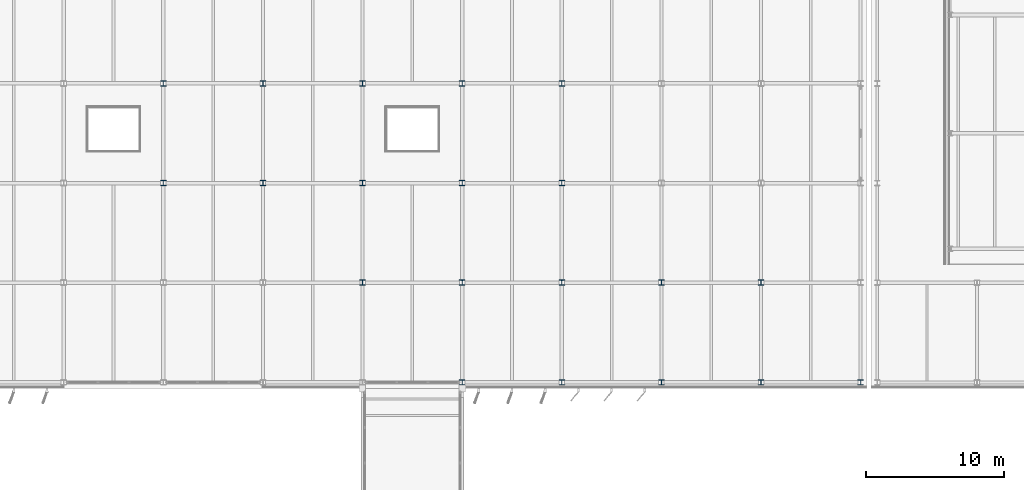
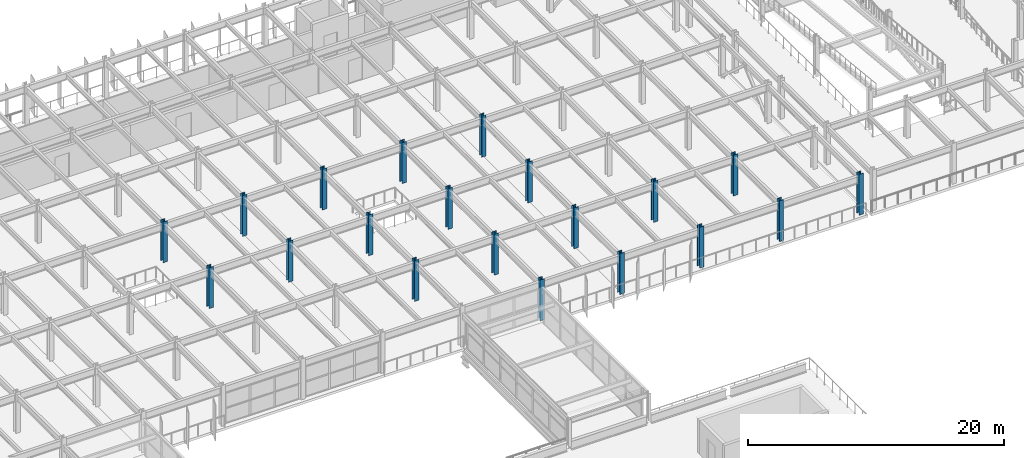
# One storey, part 6 of 93: 20 columns.
"""IFC4 building model written with IfcOpenShell, lengths in metres."""

from ifc_helpers import new_model, si_unit, direction, frame, origin, origin_2d, place, context, subcontext, project, spatial, i_section, extrude, material, material_profile, profile_set, type_object, element, save


model = new_model("IFC4")

# Units and contexts
model_context = context("Model", 3, precision=1e-05, world=origin(), true_north=direction((0.0, 1.0)))
body_context = subcontext(model_context, "Body", "Model", "MODEL_VIEW")
ifc_project = project(units=[si_unit("LENGTHUNIT", "METRE"), si_unit("AREAUNIT", "SQUARE_METRE"), si_unit("VOLUMEUNIT", "CUBIC_METRE"), si_unit("PLANEANGLEUNIT", "RADIAN"), si_unit("MASSUNIT", "GRAM", prefix="KILO")], contexts=[model_context])

# Site, building, storey
site_placement = place(None, origin())
site = spatial("IfcSite", under=ifc_project, at=site_placement, CompositionType="ELEMENT")
building_placement = place(site_placement, origin())
building = spatial("IfcBuilding", under=site, at=building_placement, Name="Vaelcorin Mobility Hub", CompositionType="ELEMENT")
storey_placement = place(building_placement, frame((0.0, 0.0, 5.39990234375)))
storey = spatial("IfcBuildingStorey", under=building, at=storey_placement, Name="L01", CompositionType="ELEMENT", Elevation=5.39990234375)

# Columns
ifc_material = material(Name="Steel ASTM A992 Grade 50", Category="steel")
ifc_material_profile_1 = material_profile(ifc_material, i_section(OverallWidth=0.39599609375, OverallDepth=0.381103515625, WebThickness=0.018798828125, FlangeThickness=0.0302734375, FilletRadius=0.014892578125, at=origin_2d()), Name="W14X159")
ifc_profile_set_1 = profile_set([ifc_material_profile_1], Name="Steel ASTM A992 Grade 50")
column_type_1 = type_object("IfcColumnType", Name="COL-W14X159", PredefinedType="COLUMN", material=ifc_profile_set_1)
for number, where, z_axis, x_axis, name in (
    (1, (72.0, 91.199951171875, 0.0), (0.0, 0.0, 1.0), (1.0, 0.0, 0.0), "Column V4-X06Y03 L01"),
    (2, (72.0, 98.39990234375, 0.0), (0.0, 0.0, 1.0), (1.0, 0.0, 0.0), "Column V4-X06Y04 L01"),
    (3, (79.199951171875, 91.199951171875, 0.0), (0.0, 0.0, 1.0), (1.0, 0.0, 0.0), "Column V4-X07Y03 L01"),
    (4, (79.199951171875, 98.39990234375, 0.0), (0.0, 0.0, 1.0), (1.0, 0.0, 0.0), "Column V4-X07Y04 L01"),
    (5, (86.39990234375, 91.199951171875, 0.0), (0.0, 0.0, 1.0), (1.0, 0.0, 0.0), "Column V4-X08Y03 L01"),
    (6, (86.39990234375, 98.39990234375, 0.0), (0.0, 0.0, 1.0), (1.0, 0.0, 0.0), "Column V4-X08Y04 L01"),
    (7, (93.60009765625, 76.800048828125, 0.0), (0.0, 0.0, 1.0), (1.0, 0.0, 0.0), "Column V4-X09Y01 L01"),
    (8, (93.60009765625, 91.199951171875, 0.0), (0.0, 0.0, 1.0), (1.0, 0.0, 0.0), "Column V4-X09Y03 L01"),
    (9, (93.60009765625, 98.39990234375, 0.0), (0.0, 0.0, 1.0), (1.0, 0.0, 0.0), "Column V4-X09Y04 L01"),
    (10, (100.800048828125, 76.800048828125, 0.0), (0.0, 0.0, 1.0), (1.0, 0.0, 0.0), "Column V4-X10Y01 L01"),
    (11, (100.800048828125, 91.199951171875, 0.0), (0.0, 0.0, 1.0), (1.0, 0.0, 0.0), "Column V4-X10Y03 L01"),
    (12, (100.800048828125, 98.39990234375, 0.0), (0.0, 0.0, 1.0), (1.0, 0.0, 0.0), "Column V4-X10Y04 L01"),
    (13, (108.0, 76.800048828125, 0.0), (0.0, 0.0, 1.0), (1.0, 0.0, 0.0), "Column V4-X11Y01 L01"),
    (14, (115.199951171875, 76.800048828125, 0.0), (0.0, 0.0, 1.0), (1.0, 0.0, 0.0), "Column V4-X12Y01 L01"),
    (15, (122.39990234375, 76.800048828125, 0.0), (0.0, 0.0, 1.0), (1.0, 0.0, 0.0), "Column V4-X13Y01 L01"),
):
    element("IfcColumn", number, at=place(storey_placement, frame(where, z_axis=z_axis, x_axis=x_axis)), inside=storey, type_object=column_type_1, Name=name, PredefinedType="COLUMN", context=body_context, shape_type="SweptSolid", body=[
        extrude(i_section(OverallWidth=0.39599609375, OverallDepth=0.381103515625, WebThickness=0.018798828125, FlangeThickness=0.0302734375, FilletRadius=0.014892578125, at=origin_2d()), origin(), (0.0, 0.0, 1.0), 3.900146484375),
    ])
ifc_material_profile_2 = material_profile(ifc_material, i_section(OverallWidth=0.39892578125, OverallDepth=0.39404296875, WebThickness=0.022705078125, FlangeThickness=0.03662109375, FilletRadius=0.014892578125, at=origin_2d()), Name="W14X193")
ifc_profile_set_2 = profile_set([ifc_material_profile_2], Name="Steel ASTM A992 Grade 50")
column_type_2 = type_object("IfcColumnType", Name="COL-W14X193", PredefinedType="COLUMN", material=ifc_profile_set_2)
for number, where, z_axis, x_axis, name in (
    (16, (86.39990234375, 84.0, 0.0), (0.0, 0.0, 1.0), (1.0, 0.0, 0.0), "Column V4-X08Y02 L01"),
    (17, (93.60009765625, 84.0, 0.0), (0.0, 0.0, 1.0), (1.0, 0.0, 0.0), "Column V4-X09Y02 L01"),
    (18, (100.800048828125, 84.0, 0.0), (0.0, 0.0, 1.0), (1.0, 0.0, 0.0), "Column V4-X10Y02 L01"),
    (19, (108.0, 84.0, 0.0), (0.0, 0.0, 1.0), (1.0, 0.0, 0.0), "Column V4-X11Y02 L01"),
    (20, (115.199951171875, 84.0, 0.0), (0.0, 0.0, 1.0), (1.0, 0.0, 0.0), "Column V4-X12Y02 L01"),
):
    element("IfcColumn", number, at=place(storey_placement, frame(where, z_axis=z_axis, x_axis=x_axis)), inside=storey, type_object=column_type_2, Name=name, PredefinedType="COLUMN", context=body_context, shape_type="SweptSolid", body=[
        extrude(i_section(OverallWidth=0.39892578125, OverallDepth=0.39404296875, WebThickness=0.022705078125, FlangeThickness=0.03662109375, FilletRadius=0.014892578125, at=origin_2d()), origin(), (0.0, 0.0, 1.0), 3.900146484375),
    ])

save(model, "model.ifc")
